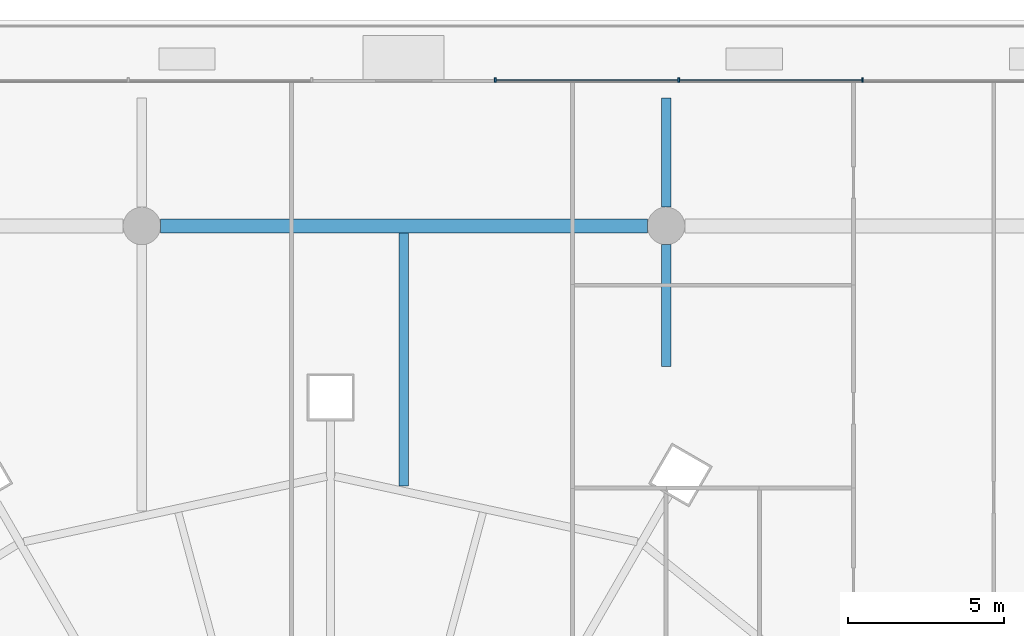
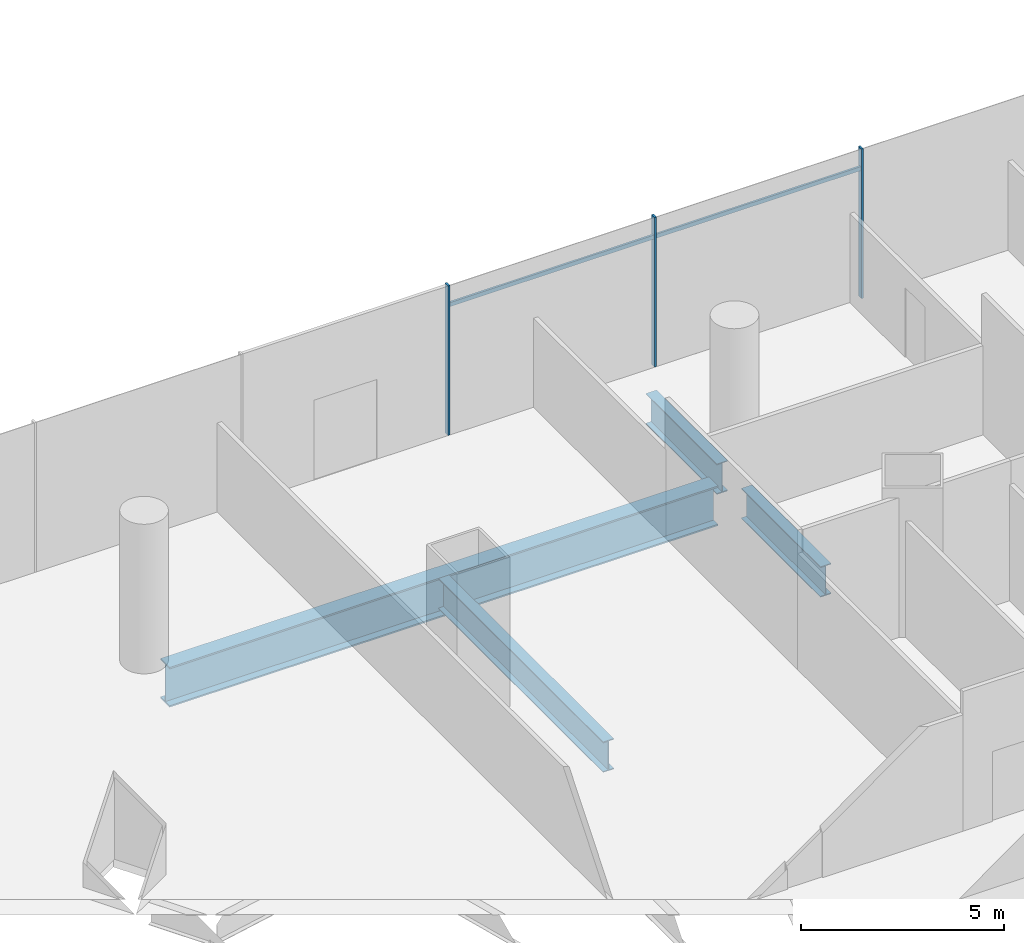
# One storey, part 20 of 43: 5 members, 4 beams, 1 element without a shape of its own.
"""IFC4 building model written with IfcOpenShell, lengths in metres."""

from ifc_helpers import new_model, si_unit, direction, frame, origin, origin_2d, place, context, subcontext, project, spatial, rectangle, i_section, extrude, material, material_profile, profile_set, type_object, element, aggregate, save


model = new_model("IFC4")

# Units and contexts
model_context = context("Model", 3, precision=1e-05, world=origin(), true_north=direction((0.0, 1.0)))
body_context = subcontext(model_context, "Body", "Model", "MODEL_VIEW")
ifc_project = project(units=[si_unit("LENGTHUNIT", "METRE"), si_unit("AREAUNIT", "SQUARE_METRE"), si_unit("VOLUMEUNIT", "CUBIC_METRE"), si_unit("PLANEANGLEUNIT", "RADIAN"), si_unit("MASSUNIT", "GRAM", prefix="KILO")], contexts=[model_context])

# Site, building, storey
site_placement = place(None, origin())
site = spatial("IfcSite", under=ifc_project, at=site_placement, CompositionType="ELEMENT")
building_placement = place(site_placement, origin())
building = spatial("IfcBuilding", under=site, at=building_placement, Name="Rimbun Link Towers", CompositionType="ELEMENT")
storey_placement = place(building_placement, frame((0.0, 0.0, 12.0)))
storey = spatial("IfcBuildingStorey", under=building, at=storey_placement, Name="L02", CompositionType="ELEMENT", Elevation=12.0)

# Curtain wall, members
ifc_material_1 = material(Name="Aluminium 6063-T6 and low-iron glass", Category="aluminium")
curtain_wall_type = type_object("IfcCurtainWallType", Name="CW3 podium shopfront", PredefinedType="NOTDEFINED", material=ifc_material_1)
curtain_wall_placement = place(storey_placement, origin())
curtain_wall = element("IfcCurtainWall", 1, at=curtain_wall_placement, inside=storey, type_object=curtain_wall_type, Name="CW3 L02 PD", PredefinedType="NOTDEFINED")
ifc_material_2 = material(Name="Aluminium 6063-T6", Category="aluminium")
ifc_material_profile_1 = material_profile(ifc_material_2, rectangle(XDim=0.14990234375, YDim=0.06005859375, at=origin_2d()), Name="MULLION 60X150")
ifc_profile_set_1 = profile_set([ifc_material_profile_1], Name="Aluminium 6063-T6")
member_type_1 = type_object("IfcMemberType", Name="CW3 mullion 60X150", PredefinedType="MULLION", material=ifc_profile_set_1)
member_1_placement = place(storey_placement, frame((-14.705810546875, 32.074951171875, 0.0), z_axis=(0.0, 0.0, 1.0), x_axis=(0.0, 1.0, 0.0)))
member_1 = element("IfcMember", 2, at=member_1_placement, type_object=member_type_1, Name="CW3 mullion", PredefinedType="MULLION", context=body_context, shape_type="SweptSolid", body=[
    extrude(rectangle(XDim=0.14990234375, YDim=0.06005859375, at=origin_2d()), origin(), (0.0, 0.0, 1.0), 4.5),
])
member_2_placement = place(storey_placement, frame((-20.588134765625, 32.074951171875, 0.0), z_axis=(0.0, 0.0, 1.0), x_axis=(0.0, 1.0, 0.0)))
member_2 = element("IfcMember", 3, at=member_2_placement, type_object=member_type_1, Name="CW3 mullion", PredefinedType="MULLION", context=body_context, shape_type="SweptSolid", body=[
    extrude(rectangle(XDim=0.14990234375, YDim=0.06005859375, at=origin_2d()), origin(), (0.0, 0.0, 1.0), 4.5),
])
member_3_placement = place(storey_placement, frame((-26.470703125, 32.074951171875, 0.0), z_axis=(0.0, 0.0, 1.0), x_axis=(0.0, 1.0, 0.0)))
member_3 = element("IfcMember", 4, at=member_3_placement, type_object=member_type_1, Name="CW3 mullion", PredefinedType="MULLION", context=body_context, shape_type="SweptSolid", body=[
    extrude(rectangle(XDim=0.14990234375, YDim=0.06005859375, at=origin_2d()), origin(), (0.0, 0.0, 1.0), 4.5),
])
ifc_material_3 = material(Name="Aluminium 6063-T6", Category="aluminium")
ifc_material_profile_2 = material_profile(ifc_material_3, rectangle(XDim=0.06005859375, YDim=0.1201171875, at=origin_2d()), Name="TRANSOM 60X120")
ifc_profile_set_2 = profile_set([ifc_material_profile_2], Name="Aluminium 6063-T6")
member_type_2 = type_object("IfcMemberType", Name="CW3 transom 60X120", PredefinedType="USERDEFINED", material=ifc_profile_set_2)
member_4_placement = place(storey_placement, frame((-20.558349609375, 32.053955078125, 3.89990234375), z_axis=(1.0, 0.0, 0.0), x_axis=(0.0, 1.0, 0.0)))
member_4 = element("IfcMember", 5, at=member_4_placement, type_object=member_type_2, Name="CW3 transom", ObjectType="TRANSOM", PredefinedType="USERDEFINED", context=body_context, shape_type="SweptSolid", body=[
    extrude(rectangle(XDim=0.06005859375, YDim=0.1201171875, at=origin_2d()), origin(), (0.0, 0.0, 1.0), 5.822509765625),
])
member_5_placement = place(storey_placement, frame((-26.440673828125, 32.053955078125, 3.89990234375), z_axis=(1.0, 0.0, 0.0), x_axis=(0.0, 1.0, 0.0)))
member_5 = element("IfcMember", 6, at=member_5_placement, type_object=member_type_2, Name="CW3 transom", ObjectType="TRANSOM", PredefinedType="USERDEFINED", context=body_context, shape_type="SweptSolid", body=[
    extrude(rectangle(XDim=0.06005859375, YDim=0.1201171875, at=origin_2d()), origin(), (0.0, 0.0, 1.0), 5.822509765625),
])
aggregate(curtain_wall, [member_1, member_2, member_3, member_4, member_5])

# Beams
ifc_material_4 = material(Name="Steel S355J2", Category="steel")
ifc_material_profile_3 = material_profile(ifc_material_4, i_section(OverallWidth=0.449951171875, OverallDepth=1.199951171875, WebThickness=0.030029296875, FlangeThickness=0.044921875, at=origin_2d()), Name="PG 1200x450x30/45")
ifc_profile_set_3 = profile_set([ifc_material_profile_3], Name="Steel S355J2")
beam_type_1 = type_object("IfcBeamType", Name="PG 1200x450x30/45", PredefinedType="BEAM", material=ifc_profile_set_3)
beam_1_placement = place(storey_placement, frame((-37.199951171875, 27.39990234375, -0.89990234375), z_axis=(1.0, 0.0, 0.0), x_axis=(0.0, 1.0, 0.0)))
element("IfcBeam", 7, at=beam_1_placement, inside=storey, type_object=beam_type_1, Name="Grid beam L02 +27.4", PredefinedType="BEAM", context=body_context, shape_type="SweptSolid", body=[
    extrude(i_section(OverallWidth=0.449951171875, OverallDepth=1.199951171875, WebThickness=0.030029296875, FlangeThickness=0.044921875, at=origin_2d()), origin(), (0.0, 0.0, 1.0), 15.599853515625),
])
ifc_material_5 = material(Name="Steel S355J2", Category="steel")
ifc_material_profile_4 = material_profile(ifc_material_5, i_section(OverallWidth=0.305419921875, OverallDepth=0.91845703125, WebThickness=0.017333984375, FlangeThickness=0.02783203125, at=origin_2d()), Name="UB 914x305x253")
ifc_profile_set_4 = profile_set([ifc_material_profile_4], Name="Steel S355J2")
beam_type_2 = type_object("IfcBeamType", Name="UB 914x305x253", PredefinedType="BEAM", material=ifc_profile_set_4)
beam_2_placement = place(storey_placement, frame((-29.39990234375, 19.058349609375, -0.75927734375), z_axis=(0.0, 1.0, 0.0), x_axis=(-1.0, 0.0, 0.0)))
element("IfcBeam", 8, at=beam_2_placement, inside=storey, type_object=beam_type_2, Name="Grid beam L02 -29.4", PredefinedType="BEAM", context=body_context, shape_type="SweptSolid", body=[
    extrude(i_section(OverallWidth=0.305419921875, OverallDepth=0.91845703125, WebThickness=0.017333984375, FlangeThickness=0.02783203125, at=origin_2d()), origin(), (0.0, 0.0, 1.0), 8.11669921875),
])
beam_3_placement = place(storey_placement, frame((-21.0, 22.89990234375, -0.75927734375), z_axis=(0.0, 1.0, 0.0), x_axis=(-1.0, 0.0, 0.0)))
element("IfcBeam", 9, at=beam_3_placement, inside=storey, type_object=beam_type_2, Name="Grid beam L02 -21.0", PredefinedType="BEAM", context=body_context, shape_type="SweptSolid", body=[
    extrude(i_section(OverallWidth=0.305419921875, OverallDepth=0.91845703125, WebThickness=0.017333984375, FlangeThickness=0.02783203125, at=origin_2d()), origin(), (0.0, 0.0, 1.0), 3.900146484375),
])
beam_4_placement = place(storey_placement, frame((-21.0, 28.0, -0.75927734375), z_axis=(0.0, 1.0, 0.0), x_axis=(-1.0, 0.0, 0.0)))
element("IfcBeam", 10, at=beam_4_placement, inside=storey, type_object=beam_type_2, Name="Grid beam L02 -21.0", PredefinedType="BEAM", context=body_context, shape_type="SweptSolid", body=[
    extrude(i_section(OverallWidth=0.305419921875, OverallDepth=0.91845703125, WebThickness=0.017333984375, FlangeThickness=0.02783203125, at=origin_2d()), origin(), (0.0, 0.0, 1.0), 3.5),
])

save(model, "model.ifc")
